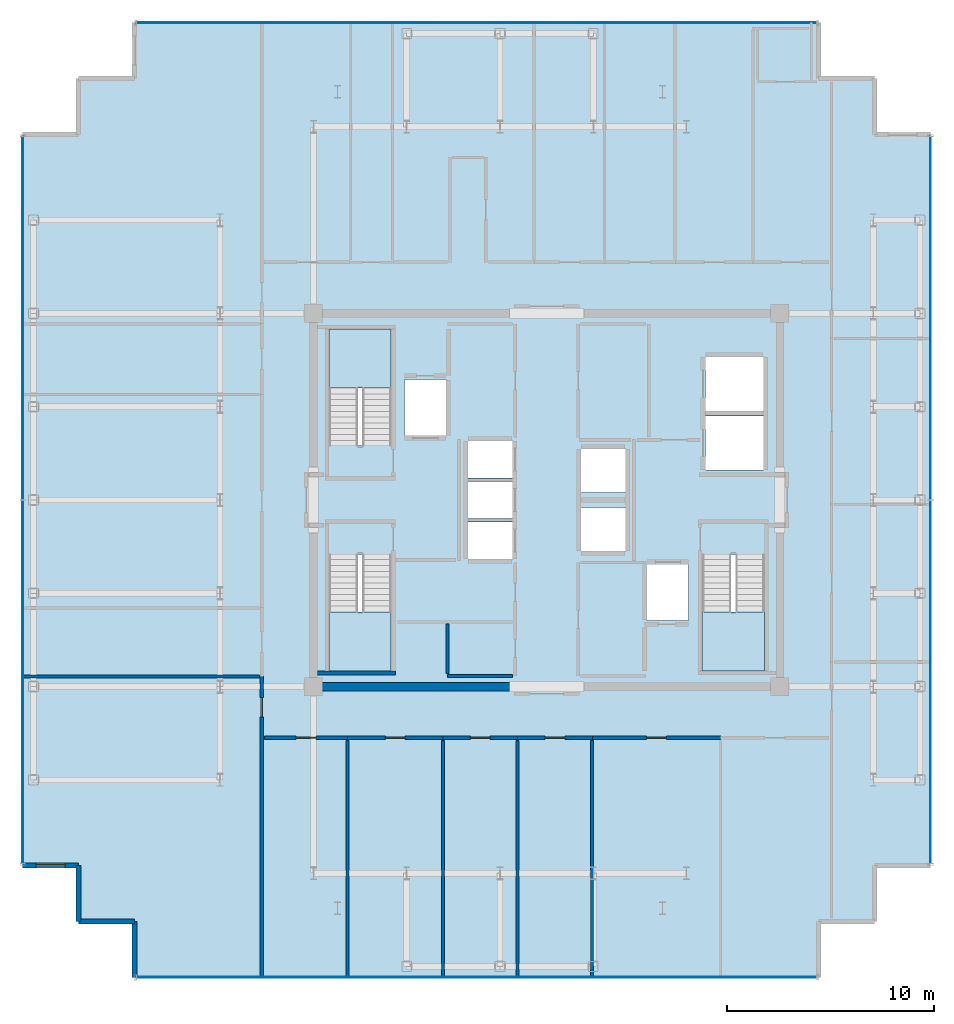
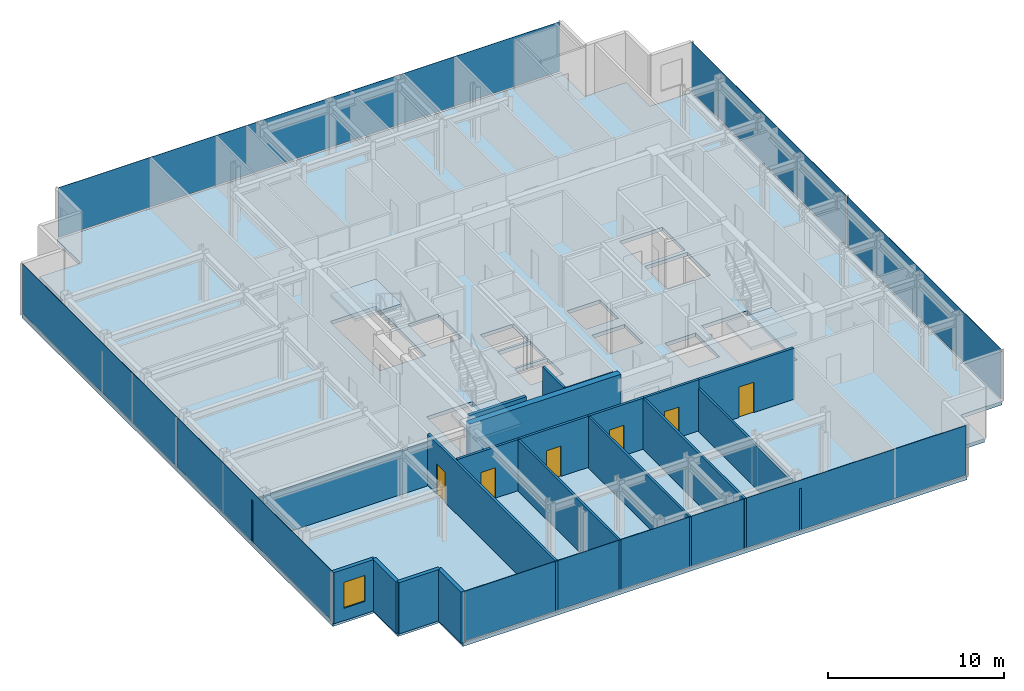
# One storey, part 12 of 17: 19 walls, 6 doors, 6 plates, 4 slabs, 1 window, 7 openings, 7 elements without a shape of their own.
"""IFC4 building model written with IfcOpenShell, lengths in metres."""

from ifc_helpers import new_model, si_unit, direction, frame, frame_2d, origin, origin_2d, place, context, subcontext, project, spatial, polyline, rectangle, outline, extrude, source, transform, mapped, material, layer, layer_set, type_object, element, fill, aggregate, save


model = new_model("IFC4")

# Units and contexts
model_context = context("Model", 3, precision=1e-05, world=origin(), true_north=direction((0.0, 1.0)))
body_context = subcontext(model_context, "Body", "Model", "MODEL_VIEW")
ifc_project = project(units=[si_unit("LENGTHUNIT", "METRE"), si_unit("AREAUNIT", "SQUARE_METRE"), si_unit("VOLUMEUNIT", "CUBIC_METRE"), si_unit("PLANEANGLEUNIT", "RADIAN"), si_unit("MASSUNIT", "GRAM", prefix="KILO")], contexts=[model_context])

# Site, building, storey
site_placement = place(None, origin())
site = spatial("IfcSite", under=ifc_project, at=site_placement, CompositionType="ELEMENT")
building_placement = place(site_placement, origin())
building = spatial("IfcBuilding", under=site, at=building_placement, Name="Nefas-Gora Pilgrimage Tower", CompositionType="ELEMENT")
storey_placement = place(building_placement, frame((0.0, 0.0, 341.39990234375)))
storey = spatial("IfcBuildingStorey", under=building, at=storey_placement, Name="L86", CompositionType="ELEMENT", Elevation=341.39990234375)

# Slab
ifc_material_1 = material(Name="Concrete C40/50", Category="concrete")
ifc_layer_1 = layer(ifc_material_1, 0.25)
ifc_layer_set_1 = layer_set([ifc_layer_1], Name="Concrete C40/50")
slab_type_1 = type_object("IfcSlabType", Name="SLB-TWR-260", PredefinedType="FLOOR", material=ifc_layer_set_1)
slab_1_placement = place(storey_placement, frame((0.0, 0.0, -0.25)))
element("IfcSlab", 1, at=slab_1_placement, inside=storey, type_object=slab_type_1, Name="L86 Structural Floor Slab", PredefinedType="FLOOR", context=body_context, shape_type="SweptSolid", body=[
    extrude(outline(polyline([(18.52001953125, 17.6201171875), (15.820068359375, 17.6201171875), (15.820068359375, 20.320068359375), (13.1201171875, 20.320068359375), (13.1201171875, 23.02001953125), (-19.8701171875, 23.02001953125), (-19.8701171875, 20.320068359375), (-22.570068359375, 20.320068359375), (-22.570068359375, 17.6201171875), (-25.27001953125, 17.6201171875), (-25.27001953125, -17.6201171875), (-22.570068359375, -17.6201171875), (-22.570068359375, -20.320068359375), (-19.8701171875, -20.320068359375), (-19.8701171875, -23.02001953125), (13.1201171875, -23.02001953125), (13.1201171875, -20.320068359375), (15.820068359375, -20.320068359375), (15.820068359375, -17.6201171875), (18.52001953125, -17.6201171875), (18.52001953125, 17.6201171875)]), holes=[polyline([(-10.5, 2.639892578125), (-10.5, 8.25), (-7.5, 8.25), (-7.5, 2.639892578125), (-10.5, 2.639892578125)]), polyline([(10.5, -2.639892578125), (10.5, -8.25), (7.5, -8.25), (7.5, -2.639892578125), (10.5, -2.639892578125)]), polyline([(-7.5, -2.639892578125), (-7.5, -8.25), (-10.5, -8.25), (-10.5, -2.639892578125), (-7.5, -2.639892578125)]), polyline([(-6.85009765625, 5.800048828125), (-4.85009765625, 5.800048828125), (-4.85009765625, 3.10009765625), (-6.85009765625, 3.10009765625), (-6.85009765625, 5.800048828125)]), polyline([(4.85009765625, -3.10009765625), (6.85009765625, -3.10009765625), (6.85009765625, -5.800048828125), (4.85009765625, -5.800048828125), (4.85009765625, -3.10009765625)]), polyline([(7.64990234375, 4.050048828125), (10.449951171875, 4.050048828125), (10.449951171875, 1.449951171875), (7.64990234375, 1.449951171875), (7.64990234375, 4.050048828125)]), polyline([(7.64990234375, 6.89990234375), (10.449951171875, 6.89990234375), (10.449951171875, 4.300048828125), (7.64990234375, 4.300048828125), (7.64990234375, 6.89990234375)]), polyline([(-3.800048828125, -1.050048828125), (-1.64990234375, -1.050048828125), (-1.64990234375, -2.85009765625), (-3.800048828125, -2.85009765625), (-3.800048828125, -1.050048828125)]), polyline([(-3.800048828125, 0.89990234375), (-1.64990234375, 0.89990234375), (-1.64990234375, -0.89990234375), (-3.800048828125, -0.89990234375), (-3.800048828125, 0.89990234375)]), polyline([(-3.800048828125, 2.85009765625), (-1.64990234375, 2.85009765625), (-1.64990234375, 1.050048828125), (-3.800048828125, 1.050048828125), (-3.800048828125, 2.85009765625)]), polyline([(1.64990234375, -0.35009765625), (3.800048828125, -0.35009765625), (3.800048828125, -2.449951171875), (1.64990234375, -2.449951171875), (1.64990234375, -0.35009765625)]), polyline([(1.64990234375, 2.449951171875), (3.800048828125, 2.449951171875), (3.800048828125, 0.35009765625), (1.64990234375, 0.35009765625), (1.64990234375, 2.449951171875)])]), origin(), (0.0, 0.0, 1.0), 0.25),
])

# Stair, slab
ifc_material_2 = material(Name="Concrete C45/55", Category="concrete")
stair_type = type_object("IfcStairType", Name="STR-1400-R1727", PredefinedType="HALF_TURN_STAIR", material=ifc_material_2)
stair_1_placement = place(storey_placement, origin())
stair_1 = element("IfcStair", 2, at=stair_1_placement, inside=storey, type_object=stair_type, Name="L86 Pressurised Tower Exit Stair ST-01", PredefinedType="HALF_TURN_STAIR")
ifc_layer_2 = layer(ifc_material_1, 0.199951171875)
ifc_layer_set_2 = layer_set([ifc_layer_2], Name="Concrete C40/50")
slab_type_2 = type_object("IfcSlabType", Name="STR-LAND-200", PredefinedType="LANDING", material=ifc_layer_set_2)
slab_2_placement = place(storey_placement, frame((0.0, 0.0, 1.7001953125)))
slab_2 = element("IfcSlab", 3, at=slab_2_placement, type_object=slab_type_2, Name="ST-01 landing 1", PredefinedType="LANDING", context=body_context, shape_type="SweptSolid", body=[
    extrude(outline(polyline([(-7.5, 5.39990234375), (-7.5, 8.25), (-10.5, 8.25), (-10.5, 5.39990234375), (-7.5, 5.39990234375)])), origin(), (0.0, 0.0, 1.0), 0.199951171875),
])
aggregate(stair_1, [slab_2])

stair_2_placement = place(storey_placement, origin())
stair_2 = element("IfcStair", 4, at=stair_2_placement, inside=storey, type_object=stair_type, Name="L86 Pressurised Tower Exit Stair ST-02", PredefinedType="HALF_TURN_STAIR")
slab_3_placement = place(storey_placement, frame((0.0, 0.0, 1.7001953125)))
slab_3 = element("IfcSlab", 5, at=slab_3_placement, type_object=slab_type_2, Name="ST-02 landing 1", PredefinedType="LANDING", context=body_context, shape_type="SweptSolid", body=[
    extrude(outline(polyline([(7.5, -5.39990234375), (7.5, -8.25), (10.5, -8.25), (10.5, -5.39990234375), (7.5, -5.39990234375)])), origin(), (0.0, 0.0, 1.0), 0.199951171875),
])
aggregate(stair_2, [slab_3])

stair_3_placement = place(storey_placement, origin())
stair_3 = element("IfcStair", 6, at=stair_3_placement, inside=storey, type_object=stair_type, Name="L86 Pressurised Tower Exit Stair ST-03", PredefinedType="HALF_TURN_STAIR")
slab_4_placement = place(storey_placement, frame((0.0, 0.0, 1.7001953125)))
slab_4 = element("IfcSlab", 7, at=slab_4_placement, type_object=slab_type_2, Name="ST-03 landing 1", PredefinedType="LANDING", context=body_context, shape_type="SweptSolid", body=[
    extrude(outline(polyline([(-10.5, -5.39990234375), (-10.5, -8.25), (-7.5, -8.25), (-7.5, -5.39990234375), (-10.5, -5.39990234375)])), origin(), (0.0, 0.0, 1.0), 0.199951171875),
])
aggregate(stair_3, [slab_4])

# Curtain wall, plate
ifc_material_3 = material(Name="Dark ceramic-fritted solar-control aluminium-glass curtain wall", Category="aluminium")
ifc_layer_3 = layer(ifc_material_3, 0.219970703125)
ifc_layer_set_3 = layer_set([ifc_layer_3], Name="Dark ceramic-fritted solar-control aluminium-glass curtain wall")
curtain_wall_type = type_object("IfcCurtainWallType", Name="CW-SYS-4", PredefinedType="NOTDEFINED", material=ifc_layer_set_3)
curtain_wall_1_placement = place(storey_placement, origin())
curtain_wall_1 = element("IfcCurtainWall", 8, at=curtain_wall_1_placement, inside=storey, type_object=curtain_wall_type, Name="L86 Unitised Curtain Wall CW4", PredefinedType="NOTDEFINED")
ifc_material_4 = material(Name="Dark ceramic-printed low-e insulated glass", Category="glass")
ifc_layer_4 = layer(ifc_material_4, 0.030029296875)
ifc_layer_set_4 = layer_set([ifc_layer_4], Name="Dark ceramic-printed low-e insulated glass")
plate_type = type_object("IfcPlateType", Name="CWP-PNL-4", PredefinedType="CURTAIN_PANEL", material=ifc_layer_set_4)
shared_shape_1 = source(origin(), body_context, "Body", "SweptSolid", [
    extrude(rectangle(XDim=32.81005859375, YDim=0.030029296875, at=origin_2d()), origin(), (0.0, 0.0, 1.0), 3.43994140625),
])
plate_1_placement = place(storey_placement, frame((-3.375, 23.02001953125, 0.10009765625), z_axis=(0.0, 0.0, 1.0), x_axis=(-1.0, 0.0, 0.0)))
plate_1 = element("IfcPlate", 9, at=plate_1_placement, type_object=plate_type, Name="CW4 Ceramic-Fritted Glazing Panel 1", PredefinedType="CURTAIN_PANEL", context=body_context, shape_type="MappedRepresentation", body=[
    mapped(shared_shape_1, transform((0.0, 0.0, 0.0), x_axis=(1.0, 0.0, 0.0), y_axis=(0.0, 1.0, 0.0), z_axis=(0.0, 0.0, 1.0), scale=1.0)),
])
aggregate(curtain_wall_1, [plate_1])

curtain_wall_2_placement = place(storey_placement, origin())
curtain_wall_2 = element("IfcCurtainWall", 10, at=curtain_wall_2_placement, inside=storey, type_object=curtain_wall_type, Name="L86 Unitised Curtain Wall CW4", PredefinedType="NOTDEFINED")
plate_2_placement = place(storey_placement, frame((-3.375, -23.02001953125, 0.10009765625), z_axis=(0.0, 0.0, 1.0), x_axis=(1.0, 0.0, 0.0)))
plate_2 = element("IfcPlate", 11, at=plate_2_placement, type_object=plate_type, Name="CW4 Ceramic-Fritted Glazing Panel 1", PredefinedType="CURTAIN_PANEL", context=body_context, shape_type="MappedRepresentation", body=[
    mapped(shared_shape_1, transform((0.0, 0.0, 0.0), x_axis=(1.0, 0.0, 0.0), y_axis=(0.0, 1.0, 0.0), z_axis=(0.0, 0.0, 1.0), scale=1.0)),
])
aggregate(curtain_wall_2, [plate_2])

# Curtain wall, plates
curtain_wall_3_placement = place(storey_placement, origin())
curtain_wall_3 = element("IfcCurtainWall", 12, at=curtain_wall_3_placement, inside=storey, type_object=curtain_wall_type, Name="L86 Unitised Curtain Wall CW4", PredefinedType="NOTDEFINED")
shared_shape_2 = source(origin(), body_context, "Body", "SweptSolid", [
    extrude(rectangle(XDim=17.485107421875, YDim=0.030029296875, at=origin_2d()), origin(), (0.0, 0.0, 1.0), 3.43994140625),
])
plate_3_placement = place(storey_placement, frame((-25.27001953125, 8.78759765625, 0.10009765625), z_axis=(0.0, 0.0, 1.0), x_axis=(0.0, -1.0, 0.0)))
plate_3 = element("IfcPlate", 13, at=plate_3_placement, type_object=plate_type, Name="CW4 Ceramic-Fritted Glazing Panel 1", PredefinedType="CURTAIN_PANEL", context=body_context, shape_type="MappedRepresentation", body=[
    mapped(shared_shape_2, transform((0.0, 0.0, 0.0), x_axis=(1.0, 0.0, 0.0), y_axis=(0.0, 1.0, 0.0), z_axis=(0.0, 0.0, 1.0), scale=1.0)),
])
plate_4_placement = place(storey_placement, frame((-25.27001953125, -8.78759765625, 0.10009765625), z_axis=(0.0, 0.0, 1.0), x_axis=(0.0, -1.0, 0.0)))
plate_4 = element("IfcPlate", 14, at=plate_4_placement, type_object=plate_type, Name="CW4 Ceramic-Fritted Glazing Panel 2", PredefinedType="CURTAIN_PANEL", context=body_context, shape_type="MappedRepresentation", body=[
    mapped(shared_shape_2, transform((0.0, 0.0, 0.0), x_axis=(1.0, 0.0, 0.0), y_axis=(0.0, 1.0, 0.0), z_axis=(0.0, 0.0, 1.0), scale=1.0)),
])
aggregate(curtain_wall_3, [plate_3, plate_4])

curtain_wall_4_placement = place(storey_placement, origin())
curtain_wall_4 = element("IfcCurtainWall", 15, at=curtain_wall_4_placement, inside=storey, type_object=curtain_wall_type, Name="L86 Unitised Curtain Wall CW4", PredefinedType="NOTDEFINED")
plate_5_placement = place(storey_placement, frame((18.52001953125, -8.78759765625, 0.10009765625), z_axis=(0.0, 0.0, 1.0), x_axis=(0.0, 1.0, 0.0)))
plate_5 = element("IfcPlate", 16, at=plate_5_placement, type_object=plate_type, Name="CW4 Ceramic-Fritted Glazing Panel 1", PredefinedType="CURTAIN_PANEL", context=body_context, shape_type="MappedRepresentation", body=[
    mapped(shared_shape_2, transform((0.0, 0.0, 0.0), x_axis=(1.0, 0.0, 0.0), y_axis=(0.0, 1.0, 0.0), z_axis=(0.0, 0.0, 1.0), scale=1.0)),
])
plate_6_placement = place(storey_placement, frame((18.52001953125, 8.78759765625, 0.10009765625), z_axis=(0.0, 0.0, 1.0), x_axis=(0.0, 1.0, 0.0)))
plate_6 = element("IfcPlate", 17, at=plate_6_placement, type_object=plate_type, Name="CW4 Ceramic-Fritted Glazing Panel 2", PredefinedType="CURTAIN_PANEL", context=body_context, shape_type="MappedRepresentation", body=[
    mapped(shared_shape_2, transform((0.0, 0.0, 0.0), x_axis=(1.0, 0.0, 0.0), y_axis=(0.0, 1.0, 0.0), z_axis=(0.0, 0.0, 1.0), scale=1.0)),
])
aggregate(curtain_wall_4, [plate_5, plate_6])

# Wall
ifc_material_5 = material(Name="Concrete C50/60", Category="concrete")
ifc_layer_5 = layer(ifc_material_5, 0.39990234375)
ifc_layer_set_5 = layer_set([ifc_layer_5], Name="Concrete C50/60")
wall_type_1 = type_object("IfcWallType", Name="SW-CORE-400", PredefinedType="SHEAR", material=ifc_layer_set_5)
shared_shape_3 = source(origin(), body_context, "Body", "SweptSolid", [
    extrude(rectangle(XDim=9.89990234375, YDim=0.39990234375, at=frame_2d((4.949951171875, 0.0))), origin(), (0.0, 0.0, 1.0), 3.800048828125),
])
wall_1_placement = place(storey_placement, frame((-11.449951171875, -9.0, 0.0), z_axis=(0.0, 0.0, 1.0), x_axis=(1.0, 0.0, 0.0)))
element("IfcWall", 18, at=wall_1_placement, inside=storey, type_object=wall_type_1, Name="L86 Core Shear Wall S-West", PredefinedType="SHEAR", context=body_context, shape_type="MappedRepresentation", body=[
    mapped(shared_shape_3, transform((0.0, 0.0, 0.0), x_axis=(1.0, 0.0, 0.0), y_axis=(0.0, 1.0, 0.0), z_axis=(0.0, 0.0, 1.0), scale=1.0)),
])

# Wall, opening, window
ifc_material_6 = material(Name="Precast concrete C45/55", Category="concrete")
ifc_layer_6 = layer(ifc_material_6, 0.239990234375)
ifc_layer_set_6 = layer_set([ifc_layer_6], Name="Precast concrete C45/55")
wall_type_2 = type_object("IfcWallType", Name="EW-SERR-240", PredefinedType="SHEAR", material=ifc_layer_set_6)
shared_shape_4 = source(origin(), body_context, "Body", "SweptSolid", [
    extrude(rectangle(XDim=2.699951171875, YDim=0.239990234375, at=frame_2d((1.35009765625, 0.0))), origin(), (0.0, 0.0, 1.0), 3.550048828125),
])
wall_2_placement = place(storey_placement, frame((-25.27001953125, -17.6201171875, 0.0), z_axis=(0.0, 0.0, 1.0), x_axis=(1.0, 0.0, 0.0)))
wall_2 = element("IfcWall", 19, at=wall_2_placement, inside=storey, type_object=wall_type_2, Name="L86 Serrated Corner Shear Pier Wall 9", PredefinedType="SHEAR", context=body_context, shape_type="MappedRepresentation", body=[
    mapped(shared_shape_4, transform((0.0, 0.0, 0.0), x_axis=(1.0, 0.0, 0.0), y_axis=(0.0, 1.0, 0.0), z_axis=(0.0, 0.0, 1.0), scale=1.0)),
])
opening_1_placement = place(wall_2_placement, frame((0.64990234375, 0.0, 0.85009765625)))
opening_1 = element("IfcOpeningElement", 20, at=opening_1_placement, cuts=wall_2, Name="Opening W-V2", PredefinedType="OPENING", context=body_context, shape_type="SweptSolid", body=[
    extrude(rectangle(XDim=1.39990234375, YDim=1.800048828125, at=frame_2d((0.699951171875, 0.89990234375))), frame((0.0, 0.1298828125, 0.0), z_axis=(0.0, -1.0, 0.0), x_axis=(1.0, 0.0, 0.0)), (0.0, 0.0, 1.0), 0.260009765625),
])
ifc_material_7 = material(Name="Dark ceramic-fritted operable aluminium-glass window", Category="aluminium")
window_type = type_object("IfcWindowType", Name="WIN-VENT-1400x1800", PartitioningType="SINGLE_PANEL", PredefinedType="WINDOW", material=ifc_material_7)
shared_shape_5 = source(origin(), body_context, "Body", "SweptSolid", [
    extrude(rectangle(XDim=1.39990234375, YDim=1.800048828125, at=frame_2d((0.699951171875, 0.89990234375))), frame((0.0, 0.030029296875, 0.0), z_axis=(0.0, -1.0, 0.0), x_axis=(1.0, 0.0, 0.0)), (0.0, 0.0, 1.0), 0.06005859375),
])
window_placement = place(opening_1_placement, origin())
window = element("IfcWindow", 21, at=window_placement, inside=storey, type_object=window_type, Name="L86 Operable Parallel-Outswing Window 9", OverallHeight=1.800048828125, OverallWidth=1.39990234375, PartitioningType="SINGLE_PANEL", PredefinedType="WINDOW", context=body_context, shape_type="MappedRepresentation", body=[
    mapped(shared_shape_5, transform((0.0, 0.0, 0.0), x_axis=(1.0, 0.0, 0.0), y_axis=(0.0, 1.0, 0.0), z_axis=(0.0, 0.0, 1.0), scale=1.0)),
])
fill(opening_1, window)

# Walls
for number, where, z_axis, x_axis, name in (
    (22, (-22.570068359375, -17.6201171875, 0.0), (0.0, 0.0, 1.0), (0.0, -1.0, 0.0), "L86 Serrated Corner Shear Pier Wall 10"),
    (23, (-22.570068359375, -20.320068359375, 0.0), (0.0, 0.0, 1.0), (1.0, 0.0, 0.0), "L86 Serrated Corner Shear Pier Wall 11"),
    (24, (-19.8701171875, -20.320068359375, 0.0), (0.0, 0.0, 1.0), (0.0, -1.0, 0.0), "L86 Serrated Corner Shear Pier Wall 12"),
):
    element("IfcWall", number, at=place(storey_placement, frame(where, z_axis=z_axis, x_axis=x_axis)), inside=storey, type_object=wall_type_2, Name=name, PredefinedType="SHEAR", context=body_context, shape_type="MappedRepresentation", body=[
        mapped(shared_shape_4, transform((0.0, 0.0, 0.0), x_axis=(1.0, 0.0, 0.0), y_axis=(0.0, 1.0, 0.0), z_axis=(0.0, 0.0, 1.0), scale=1.0)),
    ])
ifc_layer_7 = layer(ifc_material_2, 0.199951171875)
ifc_layer_set_7 = layer_set([ifc_layer_7], Name="Concrete C45/55")
wall_type_3 = type_object("IfcWallType", Name="IW-STAIR-200", PredefinedType="SOLIDWALL", material=ifc_layer_set_7)
shared_shape_6 = source(origin(), body_context, "Body", "SweptSolid", [
    extrude(rectangle(XDim=3.7548828125, YDim=0.199951171875, at=frame_2d((1.87744140625, 0.0))), origin(), (0.0, 0.0, 1.0), 3.800048828125),
])
wall_3_placement = place(storey_placement, frame((-11.054931640625, -8.35009765625, 0.0), z_axis=(0.0, 0.0, 1.0), x_axis=(1.0, 0.0, 0.0)))
element("IfcWall", 25, at=wall_3_placement, inside=storey, type_object=wall_type_3, Name="L86 Stairwell Shear Wall ST-03-far", PredefinedType="SOLIDWALL", context=body_context, shape_type="MappedRepresentation", body=[
    mapped(shared_shape_6, transform((0.0, 0.0, 0.0), x_axis=(1.0, 0.0, 0.0), y_axis=(0.0, 1.0, 0.0), z_axis=(0.0, 0.0, 1.0), scale=1.0)),
])
ifc_material_8 = material(Name="Gypsum twin-stud partition")
ifc_layer_8 = layer(ifc_material_8, 0.139892578125)
ifc_layer_set_8 = layer_set([ifc_layer_8], Name="Gypsum twin-stud partition")
wall_type_4 = type_object("IfcWallType", Name="IW-UNIT-140", PredefinedType="PARTITIONING", material=ifc_layer_set_8)
shared_shape_7 = source(origin(), body_context, "Body", "SweptSolid", [
    extrude(rectangle(XDim=3.150146484375, YDim=0.139892578125, at=frame_2d((1.5751953125, 0.0))), origin(), (0.0, 0.0, 1.0), 3.53515625),
])
wall_4_placement = place(storey_placement, frame((-4.7900390625, -8.47998046875, 0.0), z_axis=(0.0, 0.0, 1.0), x_axis=(1.0, 0.0, 0.0)))
element("IfcWall", 26, at=wall_4_placement, inside=storey, type_object=wall_type_4, Name="L86 Freed Bank-2 West Supply Vault Partition Wall 29", PredefinedType="PARTITIONING", context=body_context, shape_type="MappedRepresentation", body=[
    mapped(shared_shape_7, transform((0.0, 0.0, 0.0), x_axis=(1.0, 0.0, 0.0), y_axis=(0.0, 1.0, 0.0), z_axis=(0.0, 0.0, 1.0), scale=1.0)),
])

# Wall, opening, door
ifc_material_9 = material(Name="Gypsum acoustic stud partition")
ifc_layer_9 = layer(ifc_material_9, 0.159912109375)
ifc_layer_set_9 = layer_set([ifc_layer_9], Name="Gypsum acoustic stud partition")
wall_type_5 = type_object("IfcWallType", Name="IW-CORR-160", PredefinedType="PARTITIONING", material=ifc_layer_set_9)
shared_shape_8 = source(origin(), body_context, "Body", "SweptSolid", [
    extrude(rectangle(XDim=14.544921875, YDim=0.159912109375, at=frame_2d((7.2724609375, 0.0))), origin(), (0.0, 0.0, 1.0), 3.53515625),
])
wall_5_placement = place(storey_placement, frame((-13.739990234375, -23.0400390625, 0.0), z_axis=(0.0, 0.0, 1.0), x_axis=(0.0, 1.0, 0.0)))
wall_5 = element("IfcWall", 27, at=wall_5_placement, inside=storey, type_object=wall_type_5, Name="L86 Pilgrim Devotional Prayer Gallery Partition Wall 37", PredefinedType="PARTITIONING", context=body_context, shape_type="MappedRepresentation", body=[
    mapped(shared_shape_8, transform((0.0, 0.0, 0.0), x_axis=(1.0, 0.0, 0.0), y_axis=(0.0, 1.0, 0.0), z_axis=(0.0, 0.0, 1.0), scale=1.0)),
])
opening_2_placement = place(wall_5_placement, frame((12.5625, 0.0, 0.0)))
opening_2 = element("IfcOpeningElement", 28, at=opening_2_placement, cuts=wall_5, Name="Opening ID-GR1", PredefinedType="OPENING", context=body_context, shape_type="SweptSolid", body=[
    extrude(rectangle(XDim=0.949951171875, YDim=2.10009765625, at=frame_2d((0.47509765625, 1.050048828125))), frame((0.0, 0.08984375, 0.0), z_axis=(0.0, -1.0, 0.0), x_axis=(1.0, 0.0, 0.0)), (0.0, 0.0, 1.0), 0.179931640625),
])
ifc_material_10 = material(Name="Solid core oak fire-rated guest entrance door")
door_type = type_object("IfcDoorType", Name="DR-INT-GUEST-950", OperationType="NOTDEFINED", PredefinedType="DOOR", material=ifc_material_10)
shared_shape_9 = source(origin(), body_context, "Body", "SweptSolid", [
    extrude(rectangle(XDim=0.949951171875, YDim=2.10009765625, at=frame_2d((0.47509765625, 1.050048828125))), frame((0.0, 0.02490234375, 0.0), z_axis=(0.0, -1.0, 0.0), x_axis=(1.0, 0.0, 0.0)), (0.0, 0.0, 1.0), 0.050048828125),
])
door_1_placement = place(opening_2_placement, origin())
door_1 = element("IfcDoor", 29, at=door_1_placement, inside=storey, type_object=door_type, Name="L86 Pilgrim Devotional Prayer Gallery Door 15", OperationType="SINGLE_SWING_LEFT", OverallHeight=2.10009765625, OverallWidth=0.949951171875, PredefinedType="DOOR", context=body_context, shape_type="MappedRepresentation", body=[
    mapped(shared_shape_9, transform((0.0, 0.0, 0.0), x_axis=(1.0, 0.0, 0.0), y_axis=(0.0, 1.0, 0.0), z_axis=(0.0, 0.0, 1.0), scale=1.0)),
])
fill(opening_2, door_1)

shared_shape_10 = source(origin(), body_context, "Body", "SweptSolid", [
    extrude(rectangle(XDim=4.60986328125, YDim=0.159912109375, at=frame_2d((2.304931640625, 0.0))), origin(), (0.0, 0.0, 1.0), 3.53515625),
])
wall_6_placement = place(storey_placement, frame((-9.60498046875, -11.469970703125, 0.0), z_axis=(0.0, 0.0, 1.0), x_axis=(1.0, 0.0, 0.0)))
wall_6 = element("IfcWall", 30, at=wall_6_placement, inside=storey, type_object=wall_type_5, Name="L86 Pilgrim Contemplative Lounge Partition Wall 69", PredefinedType="PARTITIONING", context=body_context, shape_type="MappedRepresentation", body=[
    mapped(shared_shape_10, transform((0.0, 0.0, 0.0), x_axis=(1.0, 0.0, 0.0), y_axis=(0.0, 1.0, 0.0), z_axis=(0.0, 0.0, 1.0), scale=1.0)),
])
opening_3_placement = place(wall_6_placement, frame((1.830078125, 0.0, 0.0)))
opening_3 = element("IfcOpeningElement", 31, at=opening_3_placement, cuts=wall_6, Name="Opening ID-GR1", PredefinedType="OPENING", context=body_context, shape_type="SweptSolid", body=[
    extrude(rectangle(XDim=0.949951171875, YDim=2.10009765625, at=frame_2d((0.47509765625, 1.050048828125))), frame((0.0, 0.08984375, 0.0), z_axis=(0.0, -1.0, 0.0), x_axis=(1.0, 0.0, 0.0)), (0.0, 0.0, 1.0), 0.179931640625),
])
door_2_placement = place(opening_3_placement, origin())
door_2 = element("IfcDoor", 32, at=door_2_placement, inside=storey, type_object=door_type, Name="L86 Pilgrim Contemplative Lounge Door 31", OperationType="SINGLE_SWING_LEFT", OverallHeight=2.10009765625, OverallWidth=0.949951171875, PredefinedType="DOOR", context=body_context, shape_type="MappedRepresentation", body=[
    mapped(shared_shape_9, transform((0.0, 0.0, 0.0), x_axis=(1.0, 0.0, 0.0), y_axis=(0.0, 1.0, 0.0), z_axis=(0.0, 0.0, 1.0), scale=1.0)),
])
fill(opening_3, door_2)

shared_shape_11 = source(origin(), body_context, "Body", "SweptSolid", [
    extrude(rectangle(XDim=4.025146484375, YDim=0.159912109375, at=frame_2d((2.0126953125, 0.0))), origin(), (0.0, 0.0, 1.0), 3.53515625),
])
wall_7_placement = place(storey_placement, frame((-13.6201171875, -11.469970703125, 0.0), z_axis=(0.0, 0.0, 1.0), x_axis=(1.0, 0.0, 0.0)))
wall_7 = element("IfcWall", 33, at=wall_7_placement, inside=storey, type_object=wall_type_5, Name="L86 Pilgrim Contemplative Lounge Partition Wall 67", PredefinedType="PARTITIONING", context=body_context, shape_type="MappedRepresentation", body=[
    mapped(shared_shape_11, transform((0.0, 0.0, 0.0), x_axis=(1.0, 0.0, 0.0), y_axis=(0.0, 1.0, 0.0), z_axis=(0.0, 0.0, 1.0), scale=1.0)),
])
opening_4_placement = place(wall_7_placement, frame((1.53759765625, 0.0, 0.0)))
opening_4 = element("IfcOpeningElement", 34, at=opening_4_placement, cuts=wall_7, Name="Opening ID-GR1", PredefinedType="OPENING", context=body_context, shape_type="SweptSolid", body=[
    extrude(rectangle(XDim=0.949951171875, YDim=2.10009765625, at=frame_2d((0.47509765625, 1.050048828125))), frame((0.0, 0.08984375, 0.0), z_axis=(0.0, -1.0, 0.0), x_axis=(1.0, 0.0, 0.0)), (0.0, 0.0, 1.0), 0.179931640625),
])
door_3_placement = place(opening_4_placement, origin())
door_3 = element("IfcDoor", 35, at=door_3_placement, inside=storey, type_object=door_type, Name="L86 Pilgrim Contemplative Lounge Door 30", OperationType="SINGLE_SWING_RIGHT", OverallHeight=2.10009765625, OverallWidth=0.949951171875, PredefinedType="DOOR", context=body_context, shape_type="MappedRepresentation", body=[
    mapped(shared_shape_9, transform((0.0, 0.0, 0.0), x_axis=(1.0, 0.0, 0.0), y_axis=(0.0, 1.0, 0.0), z_axis=(0.0, 0.0, 1.0), scale=1.0)),
])
fill(opening_4, door_3)

shared_shape_12 = source(origin(), body_context, "Body", "SweptSolid", [
    extrude(rectangle(XDim=3.60498046875, YDim=0.159912109375, at=frame_2d((1.802490234375, 0.0))), origin(), (0.0, 0.0, 1.0), 3.53515625),
])
wall_8_placement = place(storey_placement, frame((-5.0048828125, -11.469970703125, 0.0), z_axis=(0.0, 0.0, 1.0), x_axis=(1.0, 0.0, 0.0)))
wall_8 = element("IfcWall", 36, at=wall_8_placement, inside=storey, type_object=wall_type_5, Name="L86 Pilgrim Contemplative Lounge Partition Wall 71", PredefinedType="PARTITIONING", context=body_context, shape_type="MappedRepresentation", body=[
    mapped(shared_shape_12, transform((0.0, 0.0, 0.0), x_axis=(1.0, 0.0, 0.0), y_axis=(0.0, 1.0, 0.0), z_axis=(0.0, 0.0, 1.0), scale=1.0)),
])
opening_5_placement = place(wall_8_placement, frame((1.327392578125, 0.0, 0.0)))
opening_5 = element("IfcOpeningElement", 37, at=opening_5_placement, cuts=wall_8, Name="Opening ID-GR1", PredefinedType="OPENING", context=body_context, shape_type="SweptSolid", body=[
    extrude(rectangle(XDim=0.949951171875, YDim=2.10009765625, at=frame_2d((0.47509765625, 1.050048828125))), frame((0.0, 0.08984375, 0.0), z_axis=(0.0, -1.0, 0.0), x_axis=(1.0, 0.0, 0.0)), (0.0, 0.0, 1.0), 0.179931640625),
])
door_4_placement = place(opening_5_placement, origin())
door_4 = element("IfcDoor", 38, at=door_4_placement, inside=storey, type_object=door_type, Name="L86 Pilgrim Contemplative Lounge Door 32", OperationType="SINGLE_SWING_RIGHT", OverallHeight=2.10009765625, OverallWidth=0.949951171875, PredefinedType="DOOR", context=body_context, shape_type="MappedRepresentation", body=[
    mapped(shared_shape_9, transform((0.0, 0.0, 0.0), x_axis=(1.0, 0.0, 0.0), y_axis=(0.0, 1.0, 0.0), z_axis=(0.0, 0.0, 1.0), scale=1.0)),
])
fill(opening_5, door_4)

wall_9_placement = place(storey_placement, frame((-1.39990234375, -11.469970703125, 0.0), z_axis=(0.0, 0.0, 1.0), x_axis=(1.0, 0.0, 0.0)))
wall_9 = element("IfcWall", 39, at=wall_9_placement, inside=storey, type_object=wall_type_5, Name="L86 Pilgrim Contemplative Lounge Partition Wall 73", PredefinedType="PARTITIONING", context=body_context, shape_type="MappedRepresentation", body=[
    mapped(shared_shape_12, transform((0.0, 0.0, 0.0), x_axis=(1.0, 0.0, 0.0), y_axis=(0.0, 1.0, 0.0), z_axis=(0.0, 0.0, 1.0), scale=1.0)),
])
opening_6_placement = place(wall_9_placement, frame((1.327392578125, 0.0, 0.0)))
opening_6 = element("IfcOpeningElement", 40, at=opening_6_placement, cuts=wall_9, Name="Opening ID-GR1", PredefinedType="OPENING", context=body_context, shape_type="SweptSolid", body=[
    extrude(rectangle(XDim=0.949951171875, YDim=2.10009765625, at=frame_2d((0.47509765625, 1.050048828125))), frame((0.0, 0.08984375, 0.0), z_axis=(0.0, -1.0, 0.0), x_axis=(1.0, 0.0, 0.0)), (0.0, 0.0, 1.0), 0.179931640625),
])
door_5_placement = place(opening_6_placement, origin())
door_5 = element("IfcDoor", 41, at=door_5_placement, inside=storey, type_object=door_type, Name="L86 Pilgrim Contemplative Lounge Door 33", OperationType="SINGLE_SWING_LEFT", OverallHeight=2.10009765625, OverallWidth=0.949951171875, PredefinedType="DOOR", context=body_context, shape_type="MappedRepresentation", body=[
    mapped(shared_shape_9, transform((0.0, 0.0, 0.0), x_axis=(1.0, 0.0, 0.0), y_axis=(0.0, 1.0, 0.0), z_axis=(0.0, 0.0, 1.0), scale=1.0)),
])
fill(opening_6, door_5)

shared_shape_13 = source(origin(), body_context, "Body", "SweptSolid", [
    extrude(rectangle(XDim=6.2099609375, YDim=0.159912109375, at=frame_2d((3.10498046875, 0.0))), origin(), (0.0, 0.0, 1.0), 3.53515625),
])
wall_10_placement = place(storey_placement, frame((2.195068359375, -11.469970703125, 0.0), z_axis=(0.0, 0.0, 1.0), x_axis=(1.0, 0.0, 0.0)))
wall_10 = element("IfcWall", 42, at=wall_10_placement, inside=storey, type_object=wall_type_5, Name="L86 Pilgrim Contemplative Lounge Partition Wall 75", PredefinedType="PARTITIONING", context=body_context, shape_type="MappedRepresentation", body=[
    mapped(shared_shape_13, transform((0.0, 0.0, 0.0), x_axis=(1.0, 0.0, 0.0), y_axis=(0.0, 1.0, 0.0), z_axis=(0.0, 0.0, 1.0), scale=1.0)),
])
opening_7_placement = place(wall_10_placement, frame((2.6298828125, 0.0, 0.0)))
opening_7 = element("IfcOpeningElement", 43, at=opening_7_placement, cuts=wall_10, Name="Opening ID-GR1", PredefinedType="OPENING", context=body_context, shape_type="SweptSolid", body=[
    extrude(rectangle(XDim=0.949951171875, YDim=2.10009765625, at=frame_2d((0.47509765625, 1.050048828125))), frame((0.0, 0.08984375, 0.0), z_axis=(0.0, -1.0, 0.0), x_axis=(1.0, 0.0, 0.0)), (0.0, 0.0, 1.0), 0.179931640625),
])
door_6_placement = place(opening_7_placement, origin())
door_6 = element("IfcDoor", 44, at=door_6_placement, inside=storey, type_object=door_type, Name="L86 Pilgrim Contemplative Lounge Door 34", OperationType="SINGLE_SWING_RIGHT", OverallHeight=2.10009765625, OverallWidth=0.949951171875, PredefinedType="DOOR", context=body_context, shape_type="MappedRepresentation", body=[
    mapped(shared_shape_9, transform((0.0, 0.0, 0.0), x_axis=(1.0, 0.0, 0.0), y_axis=(0.0, 1.0, 0.0), z_axis=(0.0, 0.0, 1.0), scale=1.0)),
])
fill(opening_7, door_6)

# Walls
shared_shape_14 = source(origin(), body_context, "Body", "SweptSolid", [
    extrude(rectangle(XDim=11.449951171875, YDim=0.139892578125, at=frame_2d((5.72509765625, 0.0))), origin(), (0.0, 0.0, 1.0), 3.53515625),
])
for number, where, z_axis, x_axis, name in (
    (45, (-9.60498046875, -23.0400390625, 0.0), (0.0, 0.0, 1.0), (0.0, 1.0, 0.0), "L86 Pilgrim Contemplative Lounge Partition Wall 68"),
    (46, (-5.0048828125, -23.0400390625, 0.0), (0.0, 0.0, 1.0), (0.0, 1.0, 0.0), "L86 Pilgrim Contemplative Lounge Partition Wall 70"),
    (47, (-1.409912109375, -23.0400390625, 0.0), (0.0, 0.0, 1.0), (0.0, 1.0, 0.0), "L86 Pilgrim Contemplative Lounge Partition Wall 72"),
):
    element("IfcWall", number, at=place(storey_placement, frame(where, z_axis=z_axis, x_axis=x_axis)), inside=storey, type_object=wall_type_4, Name=name, PredefinedType="PARTITIONING", context=body_context, shape_type="MappedRepresentation", body=[
        mapped(shared_shape_14, transform((0.0, 0.0, 0.0), x_axis=(1.0, 0.0, 0.0), y_axis=(0.0, 1.0, 0.0), z_axis=(0.0, 0.0, 1.0), scale=1.0)),
    ])
shared_shape_15 = source(origin(), body_context, "Body", "SweptSolid", [
    extrude(rectangle(XDim=2.380126953125, YDim=0.139892578125, at=frame_2d((1.18994140625, 0.0))), origin(), (0.0, 0.0, 1.0), 3.53515625),
])
wall_11_placement = place(storey_placement, frame((-4.780029296875, -8.3701171875, 0.0), z_axis=(0.0, 0.0, 1.0), x_axis=(0.0, 1.0, 0.0)))
element("IfcWall", 48, at=wall_11_placement, inside=storey, type_object=wall_type_4, Name="L86 Freed Bank-2 West Supply Vault Partition Wall 30", PredefinedType="PARTITIONING", context=body_context, shape_type="MappedRepresentation", body=[
    mapped(shared_shape_15, transform((0.0, 0.0, 0.0), x_axis=(1.0, 0.0, 0.0), y_axis=(0.0, 1.0, 0.0), z_axis=(0.0, 0.0, 1.0), scale=1.0)),
])
shared_shape_16 = source(origin(), body_context, "Body", "SweptSolid", [
    extrude(rectangle(XDim=11.429931640625, YDim=0.139892578125, at=frame_2d((5.71484375, 0.0))), origin(), (0.0, 0.0, 1.0), 2.97509765625),
])
wall_12_placement = place(storey_placement, frame((-25.2900390625, -8.5048828125, 0.0), z_axis=(0.0, 0.0, 1.0), x_axis=(1.0, 0.0, 0.0)))
element("IfcWall", 49, at=wall_12_placement, inside=storey, type_object=wall_type_4, Name="L86 Pilgrim Devotional Prayer Gallery Partition Wall 38", PredefinedType="PARTITIONING", context=body_context, shape_type="MappedRepresentation", body=[
    mapped(shared_shape_16, transform((0.0, 0.0, 0.0), x_axis=(1.0, 0.0, 0.0), y_axis=(0.0, 1.0, 0.0), z_axis=(0.0, 0.0, 1.0), scale=1.0)),
])
shared_shape_17 = source(origin(), body_context, "Body", "SweptSolid", [
    extrude(rectangle(XDim=11.449951171875, YDim=0.139892578125, at=frame_2d((5.72509765625, 0.0))), origin(), (0.0, 0.0, 1.0), 2.97509765625),
])
wall_13_placement = place(storey_placement, frame((2.195068359375, -23.0400390625, 0.0), z_axis=(0.0, 0.0, 1.0), x_axis=(0.0, 1.0, 0.0)))
element("IfcWall", 50, at=wall_13_placement, inside=storey, type_object=wall_type_4, Name="L86 Pilgrim Contemplative Lounge Partition Wall 74", PredefinedType="PARTITIONING", context=body_context, shape_type="MappedRepresentation", body=[
    mapped(shared_shape_17, transform((0.0, 0.0, 0.0), x_axis=(1.0, 0.0, 0.0), y_axis=(0.0, 1.0, 0.0), z_axis=(0.0, 0.0, 1.0), scale=1.0)),
])

save(model, "model.ifc")
